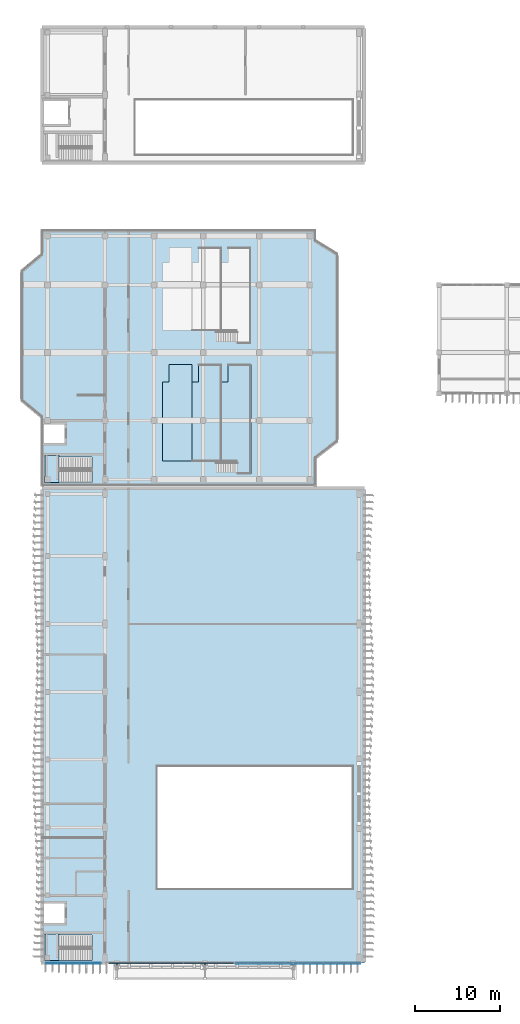
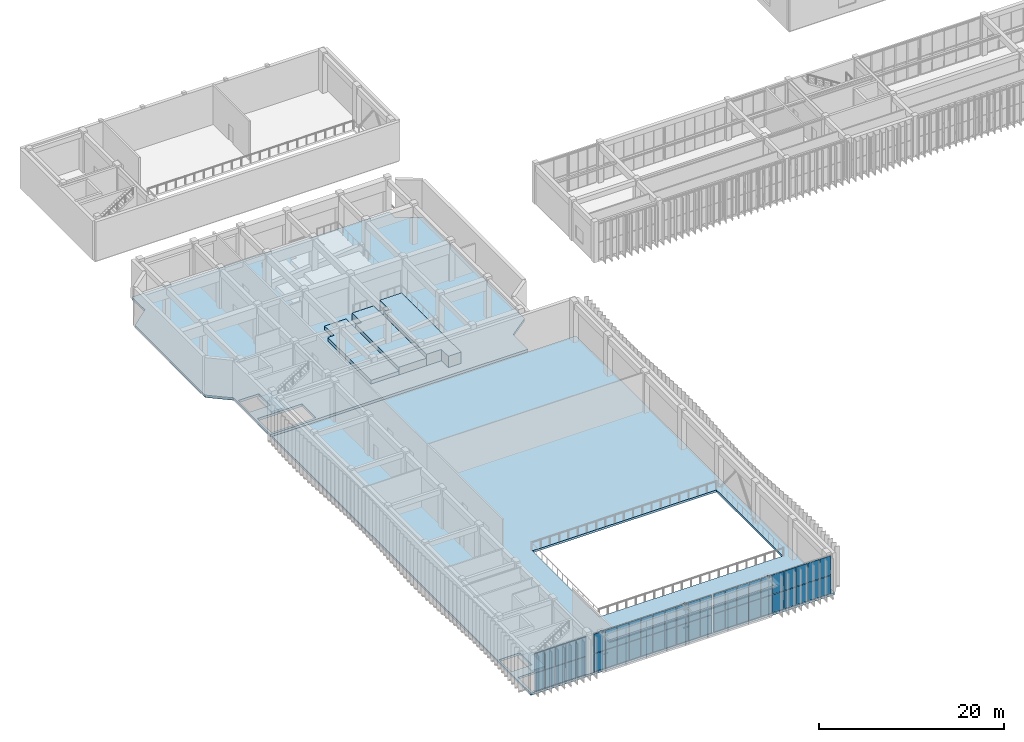
# One storey, part 28 of 64: 50 plates, 7 slabs, 3 members, 5 elements without a shape of their own.
"""IFC4 building model written with IfcOpenShell, lengths in metres."""

from ifc_helpers import new_model, si_unit, direction, frame, origin, origin_2d, place, context, subcontext, project, spatial, polyline, rectangle, hollow_rectangle, outline, extrude, material, layer, layer_set, material_profile, profile_set, type_object, element, aggregate, save


model = new_model("IFC4")

# Units and contexts
model_context = context("Model", 3, precision=1e-05, world=origin(), true_north=direction((0.0, 1.0)))
body_context = subcontext(model_context, "Body", "Model", "MODEL_VIEW")
ifc_project = project(units=[si_unit("LENGTHUNIT", "METRE"), si_unit("AREAUNIT", "SQUARE_METRE"), si_unit("VOLUMEUNIT", "CUBIC_METRE"), si_unit("PLANEANGLEUNIT", "RADIAN"), si_unit("MASSUNIT", "GRAM", prefix="KILO")], contexts=[model_context])

# Site, building, storey
site_placement = place(None, origin())
site = spatial("IfcSite", under=ifc_project, at=site_placement, CompositionType="ELEMENT")
building_placement = place(site_placement, origin())
building = spatial("IfcBuilding", under=site, at=building_placement, Name="Cinchona Park Media Centre", CompositionType="ELEMENT")
storey_placement = place(building_placement, frame((0.0, 0.0, 10.199951171875)))
storey = spatial("IfcBuildingStorey", under=building, at=storey_placement, Name="L02", CompositionType="ELEMENT", Elevation=10.199951171875)

# Members
ifc_material_1 = material(Name="Steel S355", Category="steel")
ifc_material_profile = material_profile(ifc_material_1, hollow_rectangle(XDim=0.14990234375, YDim=0.14990234375, WallThickness=0.010009765625, at=origin_2d()), Name="150X150X10SHS")
ifc_profile_set = profile_set([ifc_material_profile], Name="Steel S355")
member_type = type_object("IfcMemberType", Name="MEMBER-TS03-SHS150X150X10", PredefinedType="STRUT", material=ifc_profile_set)
for number, where, z_axis, x_axis, name in (
    (1, (16.800048828125, 7.340087890625, 5.14013671875), (0.0, 1.0, 0.0), (-1.0, 0.0, 0.0), "Screen Portal Tie Strut TS03 L02"),
    (2, (27.199951171875, 7.340087890625, 5.14013671875), (0.0, 1.0, 0.0), (-1.0, 0.0, 0.0), "Screen Portal Tie Strut TS03 L02"),
    (3, (37.60009765625, 7.340087890625, 5.14013671875), (0.0, 1.0, 0.0), (-1.0, 0.0, 0.0), "Screen Portal Tie Strut TS03 L02"),
):
    element("IfcMember", number, at=place(storey_placement, frame(where, z_axis=z_axis, x_axis=x_axis)), inside=storey, type_object=member_type, Name=name, PredefinedType="STRUT", context=body_context, shape_type="SweptSolid", body=[
        extrude(hollow_rectangle(XDim=0.14990234375, YDim=0.14990234375, WallThickness=0.010009765625, at=origin_2d()), origin(), (0.0, 0.0, 1.0), 0.280029296875),
    ])

# Curtain wall, plates
ifc_material_2 = material(Name="Aluminium Curtain Wall Framing", Category="aluminium")
ifc_layer_1 = layer(ifc_material_2, 0.2548828125)
ifc_layer_set_1 = layer_set([ifc_layer_1], Name="Aluminium Curtain Wall Framing")
curtain_wall_type_1 = type_object("IfcCurtainWallType", Name="CW-CW06", PredefinedType="USERDEFINED", material=ifc_layer_set_1)
curtain_wall_1_placement = place(storey_placement, origin())
curtain_wall_1 = element("IfcCurtainWall", 4, at=curtain_wall_1_placement, inside=storey, type_object=curtain_wall_type_1, Name="Curtain Wall CW06 L02", ObjectType="UNITISED CURTAIN WALL", PredefinedType="USERDEFINED")
ifc_material_3 = material(Name="Laminated Solar-Control Double Glazing", Category="glass")
ifc_layer_2 = layer(ifc_material_3, 0.080078125)
ifc_layer_set_2 = layer_set([ifc_layer_2], Name="Laminated Solar-Control Double Glazing")
plate_type_1 = type_object("IfcPlateType", Name="CWPANEL-PNL07", PredefinedType="CURTAIN_PANEL", material=ifc_layer_set_2)
plate_1_placement = place(storey_placement, frame((14.30517578125, 7.60009765625, 0.125), z_axis=(0.0, 0.0, 1.0), x_axis=(-1.0, 0.0, 0.0)))
plate_1 = element("IfcPlate", 5, at=plate_1_placement, type_object=plate_type_1, Name="CW06 panel 1.1", PredefinedType="CURTAIN_PANEL", context=body_context, shape_type="SweptSolid", body=[
    extrude(rectangle(XDim=1.199462890625, YDim=0.080078125, at=origin_2d()), origin(), (0.0, 0.0, 1.0), 2.340576171875),
])
plate_2_placement = place(storey_placement, frame((14.30517578125, 7.60009765625, 2.54052734375), z_axis=(0.0, 0.0, 1.0), x_axis=(-1.0, 0.0, 0.0)))
plate_2 = element("IfcPlate", 6, at=plate_2_placement, type_object=plate_type_1, Name="CW06 panel 1.2", PredefinedType="CURTAIN_PANEL", context=body_context, shape_type="SweptSolid", body=[
    extrude(rectangle(XDim=1.199462890625, YDim=0.080078125, at=origin_2d()), origin(), (0.0, 0.0, 1.0), 2.54443359375),
])
plate_3_placement = place(storey_placement, frame((13.011962890625, 7.60009765625, 0.125), z_axis=(0.0, 0.0, 1.0), x_axis=(-1.0, 0.0, 0.0)))
plate_3 = element("IfcPlate", 7, at=plate_3_placement, type_object=plate_type_1, Name="CW06 panel 2.1", PredefinedType="CURTAIN_PANEL", context=body_context, shape_type="SweptSolid", body=[
    extrude(rectangle(XDim=1.237060546875, YDim=0.080078125, at=origin_2d()), origin(), (0.0, 0.0, 1.0), 2.340576171875),
])
plate_4_placement = place(storey_placement, frame((13.011962890625, 7.60009765625, 2.54052734375), z_axis=(0.0, 0.0, 1.0), x_axis=(-1.0, 0.0, 0.0)))
plate_4 = element("IfcPlate", 8, at=plate_4_placement, type_object=plate_type_1, Name="CW06 panel 2.2", PredefinedType="CURTAIN_PANEL", context=body_context, shape_type="SweptSolid", body=[
    extrude(rectangle(XDim=1.237060546875, YDim=0.080078125, at=origin_2d()), origin(), (0.0, 0.0, 1.0), 2.54443359375),
])
plate_5_placement = place(storey_placement, frame((11.699951171875, 7.60009765625, 0.125), z_axis=(0.0, 0.0, 1.0), x_axis=(-1.0, 0.0, 0.0)))
plate_5 = element("IfcPlate", 9, at=plate_5_placement, type_object=plate_type_1, Name="CW06 panel 3.1", PredefinedType="CURTAIN_PANEL", context=body_context, shape_type="SweptSolid", body=[
    extrude(rectangle(XDim=1.237060546875, YDim=0.080078125, at=origin_2d()), origin(), (0.0, 0.0, 1.0), 2.340576171875),
])
plate_6_placement = place(storey_placement, frame((11.699951171875, 7.60009765625, 2.54052734375), z_axis=(0.0, 0.0, 1.0), x_axis=(-1.0, 0.0, 0.0)))
plate_6 = element("IfcPlate", 10, at=plate_6_placement, type_object=plate_type_1, Name="CW06 panel 3.2", PredefinedType="CURTAIN_PANEL", context=body_context, shape_type="SweptSolid", body=[
    extrude(rectangle(XDim=1.237060546875, YDim=0.080078125, at=origin_2d()), origin(), (0.0, 0.0, 1.0), 2.54443359375),
])
plate_7_placement = place(storey_placement, frame((10.387939453125, 7.60009765625, 0.125), z_axis=(0.0, 0.0, 1.0), x_axis=(-1.0, 0.0, 0.0)))
plate_7 = element("IfcPlate", 11, at=plate_7_placement, type_object=plate_type_1, Name="CW06 panel 4.1", PredefinedType="CURTAIN_PANEL", context=body_context, shape_type="SweptSolid", body=[
    extrude(rectangle(XDim=1.237060546875, YDim=0.080078125, at=origin_2d()), origin(), (0.0, 0.0, 1.0), 2.340576171875),
])
plate_8_placement = place(storey_placement, frame((10.387939453125, 7.60009765625, 2.54052734375), z_axis=(0.0, 0.0, 1.0), x_axis=(-1.0, 0.0, 0.0)))
plate_8 = element("IfcPlate", 12, at=plate_8_placement, type_object=plate_type_1, Name="CW06 panel 4.2", PredefinedType="CURTAIN_PANEL", context=body_context, shape_type="SweptSolid", body=[
    extrude(rectangle(XDim=1.237060546875, YDim=0.080078125, at=origin_2d()), origin(), (0.0, 0.0, 1.0), 2.54443359375),
])
plate_9_placement = place(storey_placement, frame((9.0947265625, 7.60009765625, 0.125), z_axis=(0.0, 0.0, 1.0), x_axis=(-1.0, 0.0, 0.0)))
plate_9 = element("IfcPlate", 13, at=plate_9_placement, type_object=plate_type_1, Name="CW06 panel 5.1", PredefinedType="CURTAIN_PANEL", context=body_context, shape_type="SweptSolid", body=[
    extrude(rectangle(XDim=1.199462890625, YDim=0.080078125, at=origin_2d()), origin(), (0.0, 0.0, 1.0), 2.340576171875),
])
plate_10_placement = place(storey_placement, frame((9.0947265625, 7.60009765625, 2.54052734375), z_axis=(0.0, 0.0, 1.0), x_axis=(-1.0, 0.0, 0.0)))
plate_10 = element("IfcPlate", 14, at=plate_10_placement, type_object=plate_type_1, Name="CW06 panel 5.2", PredefinedType="CURTAIN_PANEL", context=body_context, shape_type="SweptSolid", body=[
    extrude(rectangle(XDim=1.199462890625, YDim=0.080078125, at=origin_2d()), origin(), (0.0, 0.0, 1.0), 2.54443359375),
])
aggregate(curtain_wall_1, [plate_1, plate_2, plate_3, plate_4, plate_5, plate_6, plate_7, plate_8, plate_9, plate_10])

ifc_material_4 = material(Name="Aluminium Curtain Wall Framing", Category="aluminium")
ifc_layer_3 = layer(ifc_material_4, 0.27001953125)
ifc_layer_set_3 = layer_set([ifc_layer_3], Name="Aluminium Curtain Wall Framing")
curtain_wall_type_2 = type_object("IfcCurtainWallType", Name="CW-CW07", PredefinedType="USERDEFINED", material=ifc_layer_set_3)
curtain_wall_2_placement = place(storey_placement, origin())
curtain_wall_2 = element("IfcCurtainWall", 15, at=curtain_wall_2_placement, inside=storey, type_object=curtain_wall_type_2, Name="Curtain Wall CW07 L02", ObjectType="UNITISED CURTAIN WALL", PredefinedType="USERDEFINED")
ifc_material_5 = material(Name="Insulated Acoustic Aluminium-Glass Spandrel Cassette", Category="aluminium")
ifc_layer_4 = layer(ifc_material_5, 0.10009765625)
ifc_layer_set_4 = layer_set([ifc_layer_4], Name="Insulated Acoustic Aluminium-Glass Spandrel Cassette")
plate_type_2 = type_object("IfcPlateType", Name="CWPANEL-PNL09", PredefinedType="CURTAIN_PANEL", material=ifc_layer_set_4)
plate_11_placement = place(storey_placement, frame((44.82373046875, 7.60009765625, 0.114990234375), z_axis=(0.0, 0.0, 1.0), x_axis=(-1.0, 0.0, 0.0)))
plate_11 = element("IfcPlate", 16, at=plate_11_placement, type_object=plate_type_2, Name="CW07 panel 1.1", PredefinedType="CURTAIN_PANEL", context=body_context, shape_type="SweptSolid", body=[
    extrude(rectangle(XDim=1.382568359375, YDim=0.10009765625, at=origin_2d()), origin(), (0.0, 0.0, 1.0), 2.35546875),
])
plate_12_placement = place(storey_placement, frame((44.82373046875, 7.60009765625, 2.535400390625), z_axis=(0.0, 0.0, 1.0), x_axis=(-1.0, 0.0, 0.0)))
plate_12 = element("IfcPlate", 17, at=plate_12_placement, type_object=plate_type_2, Name="CW07 panel 1.2", PredefinedType="CURTAIN_PANEL", context=body_context, shape_type="SweptSolid", body=[
    extrude(rectangle(XDim=1.382568359375, YDim=0.10009765625, at=origin_2d()), origin(), (0.0, 0.0, 1.0), 2.5595703125),
])
plate_13_placement = place(storey_placement, frame((43.360107421875, 7.60009765625, 0.114990234375), z_axis=(0.0, 0.0, 1.0), x_axis=(-1.0, 0.0, 0.0)))
plate_13 = element("IfcPlate", 18, at=plate_13_placement, type_object=plate_type_2, Name="CW07 panel 2.1", PredefinedType="CURTAIN_PANEL", context=body_context, shape_type="SweptSolid", body=[
    extrude(rectangle(XDim=1.4150390625, YDim=0.10009765625, at=origin_2d()), origin(), (0.0, 0.0, 1.0), 2.35546875),
])
plate_14_placement = place(storey_placement, frame((43.360107421875, 7.60009765625, 2.535400390625), z_axis=(0.0, 0.0, 1.0), x_axis=(-1.0, 0.0, 0.0)))
plate_14 = element("IfcPlate", 19, at=plate_14_placement, type_object=plate_type_2, Name="CW07 panel 2.2", PredefinedType="CURTAIN_PANEL", context=body_context, shape_type="SweptSolid", body=[
    extrude(rectangle(XDim=1.4150390625, YDim=0.10009765625, at=origin_2d()), origin(), (0.0, 0.0, 1.0), 2.5595703125),
])
plate_15_placement = place(storey_placement, frame((41.8798828125, 7.60009765625, 0.114990234375), z_axis=(0.0, 0.0, 1.0), x_axis=(-1.0, 0.0, 0.0)))
plate_15 = element("IfcPlate", 20, at=plate_15_placement, type_object=plate_type_2, Name="CW07 panel 3.1", PredefinedType="CURTAIN_PANEL", context=body_context, shape_type="SweptSolid", body=[
    extrude(rectangle(XDim=1.4150390625, YDim=0.10009765625, at=origin_2d()), origin(), (0.0, 0.0, 1.0), 2.35546875),
])
plate_16_placement = place(storey_placement, frame((41.8798828125, 7.60009765625, 2.535400390625), z_axis=(0.0, 0.0, 1.0), x_axis=(-1.0, 0.0, 0.0)))
plate_16 = element("IfcPlate", 21, at=plate_16_placement, type_object=plate_type_2, Name="CW07 panel 3.2", PredefinedType="CURTAIN_PANEL", context=body_context, shape_type="SweptSolid", body=[
    extrude(rectangle(XDim=1.4150390625, YDim=0.10009765625, at=origin_2d()), origin(), (0.0, 0.0, 1.0), 2.5595703125),
])
plate_17_placement = place(storey_placement, frame((40.39990234375, 7.60009765625, 0.114990234375), z_axis=(0.0, 0.0, 1.0), x_axis=(-1.0, 0.0, 0.0)))
plate_17 = element("IfcPlate", 22, at=plate_17_placement, type_object=plate_type_2, Name="CW07 panel 4.1", PredefinedType="CURTAIN_PANEL", context=body_context, shape_type="SweptSolid", body=[
    extrude(rectangle(XDim=1.4150390625, YDim=0.10009765625, at=origin_2d()), origin(), (0.0, 0.0, 1.0), 2.35546875),
])
plate_18_placement = place(storey_placement, frame((40.39990234375, 7.60009765625, 2.535400390625), z_axis=(0.0, 0.0, 1.0), x_axis=(-1.0, 0.0, 0.0)))
plate_18 = element("IfcPlate", 23, at=plate_18_placement, type_object=plate_type_2, Name="CW07 panel 4.2", PredefinedType="CURTAIN_PANEL", context=body_context, shape_type="SweptSolid", body=[
    extrude(rectangle(XDim=1.4150390625, YDim=0.10009765625, at=origin_2d()), origin(), (0.0, 0.0, 1.0), 2.5595703125),
])
plate_19_placement = place(storey_placement, frame((38.919921875, 7.60009765625, 0.114990234375), z_axis=(0.0, 0.0, 1.0), x_axis=(-1.0, 0.0, 0.0)))
plate_19 = element("IfcPlate", 24, at=plate_19_placement, type_object=plate_type_2, Name="CW07 panel 5.1", PredefinedType="CURTAIN_PANEL", context=body_context, shape_type="SweptSolid", body=[
    extrude(rectangle(XDim=1.4150390625, YDim=0.10009765625, at=origin_2d()), origin(), (0.0, 0.0, 1.0), 2.35546875),
])
plate_20_placement = place(storey_placement, frame((38.919921875, 7.60009765625, 2.535400390625), z_axis=(0.0, 0.0, 1.0), x_axis=(-1.0, 0.0, 0.0)))
plate_20 = element("IfcPlate", 25, at=plate_20_placement, type_object=plate_type_2, Name="CW07 panel 5.2", PredefinedType="CURTAIN_PANEL", context=body_context, shape_type="SweptSolid", body=[
    extrude(rectangle(XDim=1.4150390625, YDim=0.10009765625, at=origin_2d()), origin(), (0.0, 0.0, 1.0), 2.5595703125),
])
plate_21_placement = place(storey_placement, frame((37.43994140625, 7.60009765625, 0.114990234375), z_axis=(0.0, 0.0, 1.0), x_axis=(-1.0, 0.0, 0.0)))
plate_21 = element("IfcPlate", 26, at=plate_21_placement, type_object=plate_type_2, Name="CW07 panel 6.1", PredefinedType="CURTAIN_PANEL", context=body_context, shape_type="SweptSolid", body=[
    extrude(rectangle(XDim=1.4150390625, YDim=0.10009765625, at=origin_2d()), origin(), (0.0, 0.0, 1.0), 2.35546875),
])
plate_22_placement = place(storey_placement, frame((37.43994140625, 7.60009765625, 2.535400390625), z_axis=(0.0, 0.0, 1.0), x_axis=(-1.0, 0.0, 0.0)))
plate_22 = element("IfcPlate", 27, at=plate_22_placement, type_object=plate_type_2, Name="CW07 panel 6.2", PredefinedType="CURTAIN_PANEL", context=body_context, shape_type="SweptSolid", body=[
    extrude(rectangle(XDim=1.4150390625, YDim=0.10009765625, at=origin_2d()), origin(), (0.0, 0.0, 1.0), 2.5595703125),
])
plate_23_placement = place(storey_placement, frame((35.9599609375, 7.60009765625, 0.114990234375), z_axis=(0.0, 0.0, 1.0), x_axis=(-1.0, 0.0, 0.0)))
plate_23 = element("IfcPlate", 28, at=plate_23_placement, type_object=plate_type_2, Name="CW07 panel 7.1", PredefinedType="CURTAIN_PANEL", context=body_context, shape_type="SweptSolid", body=[
    extrude(rectangle(XDim=1.4150390625, YDim=0.10009765625, at=origin_2d()), origin(), (0.0, 0.0, 1.0), 2.35546875),
])
plate_24_placement = place(storey_placement, frame((35.9599609375, 7.60009765625, 2.535400390625), z_axis=(0.0, 0.0, 1.0), x_axis=(-1.0, 0.0, 0.0)))
plate_24 = element("IfcPlate", 29, at=plate_24_placement, type_object=plate_type_2, Name="CW07 panel 7.2", PredefinedType="CURTAIN_PANEL", context=body_context, shape_type="SweptSolid", body=[
    extrude(rectangle(XDim=1.4150390625, YDim=0.10009765625, at=origin_2d()), origin(), (0.0, 0.0, 1.0), 2.5595703125),
])
plate_25_placement = place(storey_placement, frame((34.47998046875, 7.60009765625, 0.114990234375), z_axis=(0.0, 0.0, 1.0), x_axis=(-1.0, 0.0, 0.0)))
plate_25 = element("IfcPlate", 30, at=plate_25_placement, type_object=plate_type_2, Name="CW07 panel 8.1", PredefinedType="CURTAIN_PANEL", context=body_context, shape_type="SweptSolid", body=[
    extrude(rectangle(XDim=1.4150390625, YDim=0.10009765625, at=origin_2d()), origin(), (0.0, 0.0, 1.0), 2.35546875),
])
plate_26_placement = place(storey_placement, frame((34.47998046875, 7.60009765625, 2.535400390625), z_axis=(0.0, 0.0, 1.0), x_axis=(-1.0, 0.0, 0.0)))
plate_26 = element("IfcPlate", 31, at=plate_26_placement, type_object=plate_type_2, Name="CW07 panel 8.2", PredefinedType="CURTAIN_PANEL", context=body_context, shape_type="SweptSolid", body=[
    extrude(rectangle(XDim=1.4150390625, YDim=0.10009765625, at=origin_2d()), origin(), (0.0, 0.0, 1.0), 2.5595703125),
])
plate_27_placement = place(storey_placement, frame((33.0, 7.60009765625, 0.114990234375), z_axis=(0.0, 0.0, 1.0), x_axis=(-1.0, 0.0, 0.0)))
plate_27 = element("IfcPlate", 32, at=plate_27_placement, type_object=plate_type_2, Name="CW07 panel 9.1", PredefinedType="CURTAIN_PANEL", context=body_context, shape_type="SweptSolid", body=[
    extrude(rectangle(XDim=1.4150390625, YDim=0.10009765625, at=origin_2d()), origin(), (0.0, 0.0, 1.0), 2.35546875),
])
plate_28_placement = place(storey_placement, frame((33.0, 7.60009765625, 2.535400390625), z_axis=(0.0, 0.0, 1.0), x_axis=(-1.0, 0.0, 0.0)))
plate_28 = element("IfcPlate", 33, at=plate_28_placement, type_object=plate_type_2, Name="CW07 panel 9.2", PredefinedType="CURTAIN_PANEL", context=body_context, shape_type="SweptSolid", body=[
    extrude(rectangle(XDim=1.4150390625, YDim=0.10009765625, at=origin_2d()), origin(), (0.0, 0.0, 1.0), 2.5595703125),
])
plate_29_placement = place(storey_placement, frame((31.5361328125, 7.60009765625, 0.114990234375), z_axis=(0.0, 0.0, 1.0), x_axis=(-1.0, 0.0, 0.0)))
plate_29 = element("IfcPlate", 34, at=plate_29_placement, type_object=plate_type_2, Name="CW07 panel 10.1", PredefinedType="CURTAIN_PANEL", context=body_context, shape_type="SweptSolid", body=[
    extrude(rectangle(XDim=1.382568359375, YDim=0.10009765625, at=origin_2d()), origin(), (0.0, 0.0, 1.0), 2.35546875),
])
plate_30_placement = place(storey_placement, frame((31.5361328125, 7.60009765625, 2.535400390625), z_axis=(0.0, 0.0, 1.0), x_axis=(-1.0, 0.0, 0.0)))
plate_30 = element("IfcPlate", 35, at=plate_30_placement, type_object=plate_type_2, Name="CW07 panel 10.2", PredefinedType="CURTAIN_PANEL", context=body_context, shape_type="SweptSolid", body=[
    extrude(rectangle(XDim=1.382568359375, YDim=0.10009765625, at=origin_2d()), origin(), (0.0, 0.0, 1.0), 2.5595703125),
])
aggregate(curtain_wall_2, [plate_11, plate_12, plate_13, plate_14, plate_15, plate_16, plate_17, plate_18, plate_19, plate_20, plate_21, plate_22, plate_23, plate_24, plate_25, plate_26, plate_27, plate_28, plate_29, plate_30])

ifc_material_6 = material(Name="Aluminium Curtain Wall Framing", Category="aluminium")
ifc_layer_5 = layer(ifc_material_6, 0.284912109375)
ifc_layer_set_5 = layer_set([ifc_layer_5], Name="Aluminium Curtain Wall Framing")
curtain_wall_type_3 = type_object("IfcCurtainWallType", Name="CW-CW08", PredefinedType="USERDEFINED", material=ifc_layer_set_5)
curtain_wall_3_placement = place(storey_placement, origin())
curtain_wall_3 = element("IfcCurtainWall", 36, at=curtain_wall_3_placement, inside=storey, type_object=curtain_wall_type_3, Name="Curtain Wall CW08 L02", ObjectType="UNITISED CURTAIN WALL", PredefinedType="USERDEFINED")
ifc_material_7 = material(Name="Insulated Acoustic Aluminium-Glass Spandrel Cassette", Category="aluminium")
ifc_layer_6 = layer(ifc_material_7, 0.1201171875)
ifc_layer_set_6 = layer_set([ifc_layer_6], Name="Insulated Acoustic Aluminium-Glass Spandrel Cassette")
plate_type_3 = type_object("IfcPlateType", Name="CWPANEL-PNL11", PredefinedType="CURTAIN_PANEL", material=ifc_layer_set_6)
plate_31_placement = place(storey_placement, frame((29.86376953125, 7.60009765625, 0.114990234375), z_axis=(0.0, 0.0, 1.0), x_axis=(-1.0, 0.0, 0.0)))
plate_31 = element("IfcPlate", 37, at=plate_31_placement, type_object=plate_type_3, Name="CW08 panel 1.1", PredefinedType="CURTAIN_PANEL", context=body_context, shape_type="SweptSolid", body=[
    extrude(rectangle(XDim=1.382568359375, YDim=0.1201171875, at=origin_2d()), origin(), (0.0, 0.0, 1.0), 2.35546875),
])
plate_32_placement = place(storey_placement, frame((29.86376953125, 7.60009765625, 2.535400390625), z_axis=(0.0, 0.0, 1.0), x_axis=(-1.0, 0.0, 0.0)))
plate_32 = element("IfcPlate", 38, at=plate_32_placement, type_object=plate_type_3, Name="CW08 panel 1.2", PredefinedType="CURTAIN_PANEL", context=body_context, shape_type="SweptSolid", body=[
    extrude(rectangle(XDim=1.382568359375, YDim=0.1201171875, at=origin_2d()), origin(), (0.0, 0.0, 1.0), 2.5595703125),
])
plate_33_placement = place(storey_placement, frame((28.39990234375, 7.60009765625, 0.114990234375), z_axis=(0.0, 0.0, 1.0), x_axis=(-1.0, 0.0, 0.0)))
plate_33 = element("IfcPlate", 39, at=plate_33_placement, type_object=plate_type_3, Name="CW08 panel 2.1", PredefinedType="CURTAIN_PANEL", context=body_context, shape_type="SweptSolid", body=[
    extrude(rectangle(XDim=1.4150390625, YDim=0.1201171875, at=origin_2d()), origin(), (0.0, 0.0, 1.0), 2.35546875),
])
plate_34_placement = place(storey_placement, frame((28.39990234375, 7.60009765625, 2.535400390625), z_axis=(0.0, 0.0, 1.0), x_axis=(-1.0, 0.0, 0.0)))
plate_34 = element("IfcPlate", 40, at=plate_34_placement, type_object=plate_type_3, Name="CW08 panel 2.2", PredefinedType="CURTAIN_PANEL", context=body_context, shape_type="SweptSolid", body=[
    extrude(rectangle(XDim=1.4150390625, YDim=0.1201171875, at=origin_2d()), origin(), (0.0, 0.0, 1.0), 2.5595703125),
])
plate_35_placement = place(storey_placement, frame((26.919921875, 7.60009765625, 0.114990234375), z_axis=(0.0, 0.0, 1.0), x_axis=(-1.0, 0.0, 0.0)))
plate_35 = element("IfcPlate", 41, at=plate_35_placement, type_object=plate_type_3, Name="CW08 panel 3.1", PredefinedType="CURTAIN_PANEL", context=body_context, shape_type="SweptSolid", body=[
    extrude(rectangle(XDim=1.4150390625, YDim=0.1201171875, at=origin_2d()), origin(), (0.0, 0.0, 1.0), 2.35546875),
])
plate_36_placement = place(storey_placement, frame((26.919921875, 7.60009765625, 2.535400390625), z_axis=(0.0, 0.0, 1.0), x_axis=(-1.0, 0.0, 0.0)))
plate_36 = element("IfcPlate", 42, at=plate_36_placement, type_object=plate_type_3, Name="CW08 panel 3.2", PredefinedType="CURTAIN_PANEL", context=body_context, shape_type="SweptSolid", body=[
    extrude(rectangle(XDim=1.4150390625, YDim=0.1201171875, at=origin_2d()), origin(), (0.0, 0.0, 1.0), 2.5595703125),
])
plate_37_placement = place(storey_placement, frame((25.43994140625, 7.60009765625, 0.114990234375), z_axis=(0.0, 0.0, 1.0), x_axis=(-1.0, 0.0, 0.0)))
plate_37 = element("IfcPlate", 43, at=plate_37_placement, type_object=plate_type_3, Name="CW08 panel 4.1", PredefinedType="CURTAIN_PANEL", context=body_context, shape_type="SweptSolid", body=[
    extrude(rectangle(XDim=1.4150390625, YDim=0.1201171875, at=origin_2d()), origin(), (0.0, 0.0, 1.0), 2.35546875),
])
plate_38_placement = place(storey_placement, frame((25.43994140625, 7.60009765625, 2.535400390625), z_axis=(0.0, 0.0, 1.0), x_axis=(-1.0, 0.0, 0.0)))
plate_38 = element("IfcPlate", 44, at=plate_38_placement, type_object=plate_type_3, Name="CW08 panel 4.2", PredefinedType="CURTAIN_PANEL", context=body_context, shape_type="SweptSolid", body=[
    extrude(rectangle(XDim=1.4150390625, YDim=0.1201171875, at=origin_2d()), origin(), (0.0, 0.0, 1.0), 2.5595703125),
])
plate_39_placement = place(storey_placement, frame((23.9599609375, 7.60009765625, 0.114990234375), z_axis=(0.0, 0.0, 1.0), x_axis=(-1.0, 0.0, 0.0)))
plate_39 = element("IfcPlate", 45, at=plate_39_placement, type_object=plate_type_3, Name="CW08 panel 5.1", PredefinedType="CURTAIN_PANEL", context=body_context, shape_type="SweptSolid", body=[
    extrude(rectangle(XDim=1.4150390625, YDim=0.1201171875, at=origin_2d()), origin(), (0.0, 0.0, 1.0), 2.35546875),
])
plate_40_placement = place(storey_placement, frame((23.9599609375, 7.60009765625, 2.535400390625), z_axis=(0.0, 0.0, 1.0), x_axis=(-1.0, 0.0, 0.0)))
plate_40 = element("IfcPlate", 46, at=plate_40_placement, type_object=plate_type_3, Name="CW08 panel 5.2", PredefinedType="CURTAIN_PANEL", context=body_context, shape_type="SweptSolid", body=[
    extrude(rectangle(XDim=1.4150390625, YDim=0.1201171875, at=origin_2d()), origin(), (0.0, 0.0, 1.0), 2.5595703125),
])
plate_41_placement = place(storey_placement, frame((22.47998046875, 7.60009765625, 0.114990234375), z_axis=(0.0, 0.0, 1.0), x_axis=(-1.0, 0.0, 0.0)))
plate_41 = element("IfcPlate", 47, at=plate_41_placement, type_object=plate_type_3, Name="CW08 panel 6.1", PredefinedType="CURTAIN_PANEL", context=body_context, shape_type="SweptSolid", body=[
    extrude(rectangle(XDim=1.4150390625, YDim=0.1201171875, at=origin_2d()), origin(), (0.0, 0.0, 1.0), 2.35546875),
])
plate_42_placement = place(storey_placement, frame((22.47998046875, 7.60009765625, 2.535400390625), z_axis=(0.0, 0.0, 1.0), x_axis=(-1.0, 0.0, 0.0)))
plate_42 = element("IfcPlate", 48, at=plate_42_placement, type_object=plate_type_3, Name="CW08 panel 6.2", PredefinedType="CURTAIN_PANEL", context=body_context, shape_type="SweptSolid", body=[
    extrude(rectangle(XDim=1.4150390625, YDim=0.1201171875, at=origin_2d()), origin(), (0.0, 0.0, 1.0), 2.5595703125),
])
plate_43_placement = place(storey_placement, frame((21.0, 7.60009765625, 0.114990234375), z_axis=(0.0, 0.0, 1.0), x_axis=(-1.0, 0.0, 0.0)))
plate_43 = element("IfcPlate", 49, at=plate_43_placement, type_object=plate_type_3, Name="CW08 panel 7.1", PredefinedType="CURTAIN_PANEL", context=body_context, shape_type="SweptSolid", body=[
    extrude(rectangle(XDim=1.4150390625, YDim=0.1201171875, at=origin_2d()), origin(), (0.0, 0.0, 1.0), 2.35546875),
])
plate_44_placement = place(storey_placement, frame((21.0, 7.60009765625, 2.535400390625), z_axis=(0.0, 0.0, 1.0), x_axis=(-1.0, 0.0, 0.0)))
plate_44 = element("IfcPlate", 50, at=plate_44_placement, type_object=plate_type_3, Name="CW08 panel 7.2", PredefinedType="CURTAIN_PANEL", context=body_context, shape_type="SweptSolid", body=[
    extrude(rectangle(XDim=1.4150390625, YDim=0.1201171875, at=origin_2d()), origin(), (0.0, 0.0, 1.0), 2.5595703125),
])
plate_45_placement = place(storey_placement, frame((19.52001953125, 7.60009765625, 0.114990234375), z_axis=(0.0, 0.0, 1.0), x_axis=(-1.0, 0.0, 0.0)))
plate_45 = element("IfcPlate", 51, at=plate_45_placement, type_object=plate_type_3, Name="CW08 panel 8.1", PredefinedType="CURTAIN_PANEL", context=body_context, shape_type="SweptSolid", body=[
    extrude(rectangle(XDim=1.4150390625, YDim=0.1201171875, at=origin_2d()), origin(), (0.0, 0.0, 1.0), 2.35546875),
])
plate_46_placement = place(storey_placement, frame((19.52001953125, 7.60009765625, 2.535400390625), z_axis=(0.0, 0.0, 1.0), x_axis=(-1.0, 0.0, 0.0)))
plate_46 = element("IfcPlate", 52, at=plate_46_placement, type_object=plate_type_3, Name="CW08 panel 8.2", PredefinedType="CURTAIN_PANEL", context=body_context, shape_type="SweptSolid", body=[
    extrude(rectangle(XDim=1.4150390625, YDim=0.1201171875, at=origin_2d()), origin(), (0.0, 0.0, 1.0), 2.5595703125),
])
plate_47_placement = place(storey_placement, frame((18.0400390625, 7.60009765625, 0.114990234375), z_axis=(0.0, 0.0, 1.0), x_axis=(-1.0, 0.0, 0.0)))
plate_47 = element("IfcPlate", 53, at=plate_47_placement, type_object=plate_type_3, Name="CW08 panel 9.1", PredefinedType="CURTAIN_PANEL", context=body_context, shape_type="SweptSolid", body=[
    extrude(rectangle(XDim=1.4150390625, YDim=0.1201171875, at=origin_2d()), origin(), (0.0, 0.0, 1.0), 2.35546875),
])
plate_48_placement = place(storey_placement, frame((18.0400390625, 7.60009765625, 2.535400390625), z_axis=(0.0, 0.0, 1.0), x_axis=(-1.0, 0.0, 0.0)))
plate_48 = element("IfcPlate", 54, at=plate_48_placement, type_object=plate_type_3, Name="CW08 panel 9.2", PredefinedType="CURTAIN_PANEL", context=body_context, shape_type="SweptSolid", body=[
    extrude(rectangle(XDim=1.4150390625, YDim=0.1201171875, at=origin_2d()), origin(), (0.0, 0.0, 1.0), 2.5595703125),
])
plate_49_placement = place(storey_placement, frame((16.576171875, 7.60009765625, 0.114990234375), z_axis=(0.0, 0.0, 1.0), x_axis=(-1.0, 0.0, 0.0)))
plate_49 = element("IfcPlate", 55, at=plate_49_placement, type_object=plate_type_3, Name="CW08 panel 10.1", PredefinedType="CURTAIN_PANEL", context=body_context, shape_type="SweptSolid", body=[
    extrude(rectangle(XDim=1.382568359375, YDim=0.1201171875, at=origin_2d()), origin(), (0.0, 0.0, 1.0), 2.35546875),
])
plate_50_placement = place(storey_placement, frame((16.576171875, 7.60009765625, 2.535400390625), z_axis=(0.0, 0.0, 1.0), x_axis=(-1.0, 0.0, 0.0)))
plate_50 = element("IfcPlate", 56, at=plate_50_placement, type_object=plate_type_3, Name="CW08 panel 10.2", PredefinedType="CURTAIN_PANEL", context=body_context, shape_type="SweptSolid", body=[
    extrude(rectangle(XDim=1.382568359375, YDim=0.1201171875, at=origin_2d()), origin(), (0.0, 0.0, 1.0), 2.5595703125),
])
aggregate(curtain_wall_3, [plate_31, plate_32, plate_33, plate_34, plate_35, plate_36, plate_37, plate_38, plate_39, plate_40, plate_41, plate_42, plate_43, plate_44, plate_45, plate_46, plate_47, plate_48, plate_49, plate_50])

# Stair, slab
ifc_material_8 = material(Name="Concrete C35/45", Category="concrete")
stair_type_1 = type_object("IfcStairType", Name="STAIR-ST3-HT54", PredefinedType="HALF_TURN_STAIR", material=ifc_material_8)
stair_1_placement = place(storey_placement, origin())
stair_1 = element("IfcStair", 57, at=stair_1_placement, inside=storey, type_object=stair_type_1, Name="Exit Stair ST3 L02", PredefinedType="HALF_TURN_STAIR")
ifc_material_9 = material(Name="Concrete C35/45", Category="concrete")
ifc_layer_7 = layer(ifc_material_9, 0.205078125)
ifc_layer_set_7 = layer_set([ifc_layer_7], Name="Concrete C35/45")
slab_type_1 = type_object("IfcSlabType", Name="LANDING-LDG01", PredefinedType="LANDING", material=ifc_layer_set_7)
slab_1_placement = place(storey_placement, frame((0.0, 0.0, 2.4951171875)))
slab_1 = element("IfcSlab", 58, at=slab_1_placement, type_object=slab_type_1, Name="ST3 landing 1", PredefinedType="LANDING", context=body_context, shape_type="SweptSolid", body=[
    extrude(outline(polyline([(8.320068359375, 64.320068359375), (9.97998046875, 64.320068359375), (9.97998046875, 67.449951171875), (8.320068359375, 67.449951171875), (8.320068359375, 64.320068359375)])), origin(), (0.0, 0.0, 1.0), 0.204833984375),
])
aggregate(stair_1, [slab_1])

ifc_material_10 = material(Name="Concrete C35/45", Category="concrete")
stair_type_2 = type_object("IfcStairType", Name="STAIR-ST6-HT54", PredefinedType="HALF_TURN_STAIR", material=ifc_material_10)
stair_2_placement = place(storey_placement, origin())
stair_2 = element("IfcStair", 59, at=stair_2_placement, inside=storey, type_object=stair_type_2, Name="Exit Stair ST6 L02", PredefinedType="HALF_TURN_STAIR")
slab_2_placement = place(storey_placement, frame((0.0, 0.0, 2.4951171875)))
slab_2 = element("IfcSlab", 60, at=slab_2_placement, type_object=slab_type_1, Name="ST6 landing 1", PredefinedType="LANDING", context=body_context, shape_type="SweptSolid", body=[
    extrude(outline(polyline([(8.320068359375, 7.919921875), (9.97998046875, 7.919921875), (9.97998046875, 11.050048828125), (8.320068359375, 11.050048828125), (8.320068359375, 7.919921875)])), origin(), (0.0, 0.0, 1.0), 0.204833984375),
])
aggregate(stair_2, [slab_2])

# Slabs
ifc_material_11 = material(Name="Concrete C35/45", Category="concrete")
ifc_layer_8 = layer(ifc_material_11, 0.324951171875)
ifc_layer_set_8 = layer_set([ifc_layer_8], Name="Concrete C35/45")
slab_type_2 = type_object("IfcSlabType", Name="SLAB-SL02-325", PredefinedType="FLOOR", material=ifc_layer_set_8)
slab_3_placement = place(storey_placement, frame((0.0, 0.0, -0.324951171875)))
element("IfcSlab", 61, at=slab_3_placement, inside=storey, type_object=slab_type_2, Name="Floor Slab V4 L02", PredefinedType="FLOOR", context=body_context, shape_type="SweptSolid", body=[
    extrude(outline(polyline([(8.0, 64.0), (40.199951171875, 64.0), (40.199951171875, 67.199951171875), (42.800048828125, 69.199951171875), (42.800048828125, 91.199951171875), (40.199951171875, 92.800048828125), (40.199951171875, 94.0), (8.0, 94.0), (8.0, 91.199951171875), (5.60009765625, 89.199951171875), (5.60009765625, 74.0), (8.0, 72.0), (8.0, 64.0)]), holes=[polyline([(8.300048828125, 64.300048828125), (13.864990234375, 64.300048828125), (13.864990234375, 67.300048828125), (8.300048828125, 67.300048828125), (8.300048828125, 64.300048828125)]), polyline([(8.199951171875, 68.800048828125), (10.800048828125, 68.800048828125), (10.800048828125, 71.300048828125), (8.199951171875, 71.300048828125), (8.199951171875, 68.800048828125)])]), origin(), (0.0, 0.0, 1.0), 0.324951171875),
])
ifc_material_12 = material(Name="Concrete C35/45", Category="concrete")
ifc_layer_9 = layer(ifc_material_12, 0.280029296875)
ifc_layer_set_9 = layer_set([ifc_layer_9], Name="Concrete C35/45")
slab_type_3 = type_object("IfcSlabType", Name="SLAB-SL04-280", PredefinedType="FLOOR", material=ifc_layer_set_9)
slab_4_placement = place(storey_placement, frame((0.0, 0.0, -0.280029296875)))
element("IfcSlab", 62, at=slab_4_placement, inside=storey, type_object=slab_type_3, Name="Floor Slab V1 L02", PredefinedType="FLOOR", context=body_context, shape_type="SweptSolid", body=[
    extrude(outline(polyline([(8.0, 7.60009765625), (46.0, 7.60009765625), (46.0, 63.60009765625), (8.0, 63.60009765625), (8.0, 7.60009765625)]), holes=[polyline([(8.300048828125, 7.89990234375), (13.864990234375, 7.89990234375), (13.864990234375, 10.89990234375), (8.300048828125, 10.89990234375), (8.300048828125, 7.89990234375)]), polyline([(8.199951171875, 12.199951171875), (10.800048828125, 12.199951171875), (10.800048828125, 14.800048828125), (8.199951171875, 14.800048828125), (8.199951171875, 12.199951171875)]), polyline([(21.60009765625, 16.39990234375), (44.60009765625, 16.39990234375), (44.60009765625, 30.800048828125), (21.60009765625, 30.800048828125), (21.60009765625, 16.39990234375)])]), origin(), (0.0, 0.0, 1.0), 0.280029296875),
])
ifc_material_13 = material(Name="Concrete C35/45", Category="concrete")
ifc_layer_10 = layer(ifc_material_13, 0.2099609375)
ifc_layer_set_10 = layer_set([ifc_layer_10], Name="Concrete C35/45")
slab_type_4 = type_object("IfcSlabType", Name="SLAB-STIER01-210", PredefinedType="USERDEFINED", material=ifc_layer_set_10)
slab_5_placement = place(storey_placement, origin())
element("IfcSlab", 63, at=slab_5_placement, inside=storey, type_object=slab_type_4, Name="Stand Repertory Cinema 4 Seating Tier 1", ObjectType="SEATING TIER", PredefinedType="USERDEFINED", context=body_context, shape_type="SweptSolid", body=[
    extrude(outline(polyline([(22.199951171875, 66.800048828125), (25.6669921875, 66.800048828125), (25.6669921875, 78.199951171875), (22.962890625, 78.199951171875), (22.962890625, 76.14794921875), (22.199951171875, 76.14794921875), (22.199951171875, 66.800048828125)])), origin(), (0.0, 0.0, 1.0), 0.5),
])
slab_6_placement = place(storey_placement, origin())
element("IfcSlab", 64, at=slab_6_placement, inside=storey, type_object=slab_type_4, Name="Stand Repertory Cinema 4 Seating Tier 2", ObjectType="SEATING TIER", PredefinedType="USERDEFINED", context=body_context, shape_type="SweptSolid", body=[
    extrude(outline(polyline([(25.6669921875, 66.800048828125), (29.134033203125, 66.800048828125), (29.134033203125, 78.199951171875), (26.429931640625, 78.199951171875), (26.429931640625, 76.14794921875), (25.6669921875, 76.14794921875), (25.6669921875, 66.800048828125)])), origin(), (0.0, 0.0, 1.0), 1.0),
])
slab_7_placement = place(storey_placement, origin())
element("IfcSlab", 65, at=slab_7_placement, inside=storey, type_object=slab_type_4, Name="Stand Repertory Cinema 4 Seating Tier 3", ObjectType="SEATING TIER", PredefinedType="USERDEFINED", context=body_context, shape_type="SweptSolid", body=[
    extrude(outline(polyline([(29.134033203125, 66.800048828125), (31.0009765625, 66.800048828125), (31.0009765625, 65.300048828125), (32.60107421875, 65.300048828125), (32.60107421875, 78.199951171875), (29.89697265625, 78.199951171875), (29.89697265625, 76.14794921875), (29.134033203125, 76.14794921875), (29.134033203125, 66.800048828125)])), origin(), (0.0, 0.0, 1.0), 1.5),
])

save(model, "model.ifc")
